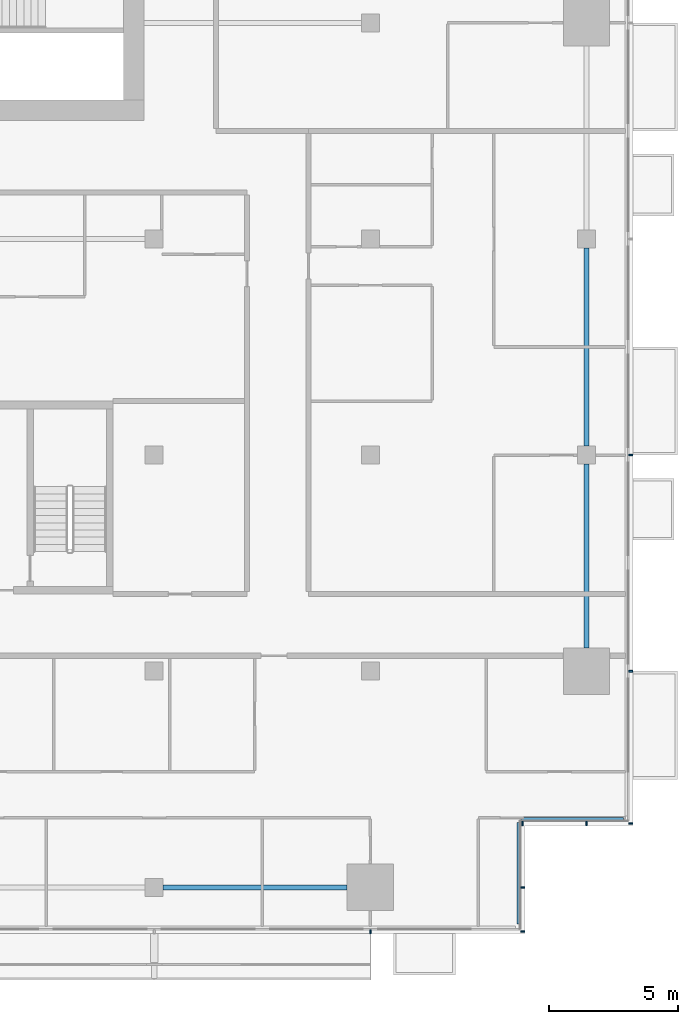
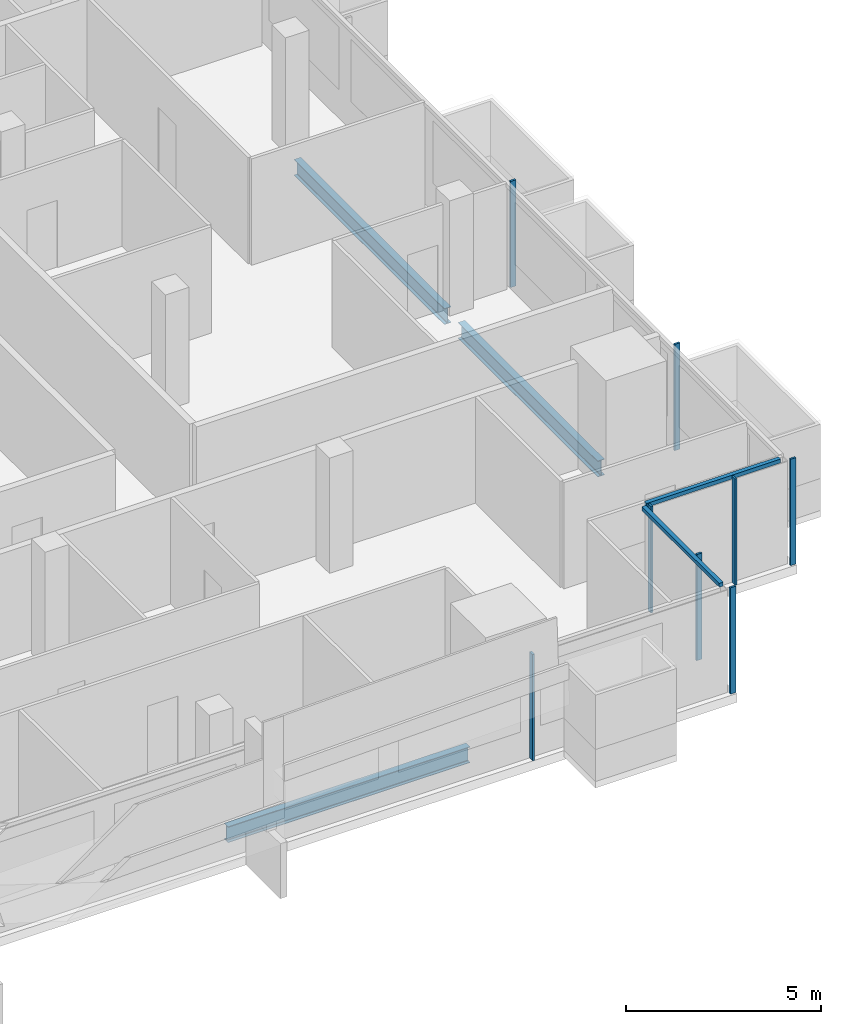
# One storey, part 11 of 28: 10 members, 3 beams, 4 elements without a shape of their own.
"""IFC4 building model written with IfcOpenShell, lengths in metres."""

from ifc_helpers import new_model, si_unit, direction, frame, origin, origin_2d, place, context, subcontext, project, spatial, rectangle, i_section, extrude, material, material_profile, profile_set, type_object, element, aggregate, save


model = new_model("IFC4")

# Units and contexts
model_context = context("Model", 3, precision=1e-05, world=origin(), true_north=direction((0.0, 1.0)))
body_context = subcontext(model_context, "Body", "Model", "MODEL_VIEW")
ifc_project = project(units=[si_unit("LENGTHUNIT", "METRE"), si_unit("AREAUNIT", "SQUARE_METRE"), si_unit("VOLUMEUNIT", "CUBIC_METRE"), si_unit("PLANEANGLEUNIT", "RADIAN"), si_unit("MASSUNIT", "GRAM", prefix="KILO")], contexts=[model_context])

# Site, building, storey
site_placement = place(None, origin())
site = spatial("IfcSite", under=ifc_project, at=site_placement, CompositionType="ELEMENT")
building_placement = place(site_placement, origin())
building = spatial("IfcBuilding", under=site, at=building_placement, Name="Saffron Gate Tower", CompositionType="ELEMENT")
storey_placement = place(building_placement, frame((0.0, 0.0, 154.64990234375)))
storey = spatial("IfcBuildingStorey", under=building, at=storey_placement, Name="L37", CompositionType="ELEMENT", Elevation=154.64990234375)

# Beams
ifc_material_1 = material(Name="Structural steel S355", Category="steel")
ifc_material_profile_1 = material_profile(ifc_material_1, i_section(OverallWidth=0.199951171875, OverallDepth=0.5, WebThickness=0.01025390625, FlangeThickness=0.01611328125, FilletRadius=0.02099609375, at=origin_2d()))
ifc_profile_set_1 = profile_set([ifc_material_profile_1], Name="Structural steel S355")
beam_type = type_object("IfcBeamType", Name="B11 IPE 500", PredefinedType="SPANDREL", material=ifc_profile_set_1)
beam_1_placement = place(storey_placement, frame((108.949951171875, 31.800048828125, -0.52978515625), z_axis=(1.0, 0.0, 0.0), x_axis=(0.0, 1.0, 0.0)))
element("IfcBeam", 1, at=beam_1_placement, inside=storey, type_object=beam_type, Name="B11 SPANDREL BEAM", PredefinedType="SPANDREL", context=body_context, shape_type="SweptSolid", body=[
    extrude(i_section(OverallWidth=0.199951171875, OverallDepth=0.5, WebThickness=0.01025390625, FlangeThickness=0.01611328125, FilletRadius=0.02099609375, at=origin_2d()), origin(), (0.0, 0.0, 1.0), 7.150146484375),
])
beam_2_placement = place(storey_placement, frame((125.39990234375, 41.10009765625, -0.52978515625), z_axis=(0.0, 1.0, 0.0), x_axis=(-1.0, 0.0, 0.0)))
element("IfcBeam", 2, at=beam_2_placement, inside=storey, type_object=beam_type, Name="B11 SPANDREL BEAM", PredefinedType="SPANDREL", context=body_context, shape_type="SweptSolid", body=[
    extrude(i_section(OverallWidth=0.199951171875, OverallDepth=0.5, WebThickness=0.01025390625, FlangeThickness=0.01611328125, FilletRadius=0.02099609375, at=origin_2d()), origin(), (0.0, 0.0, 1.0), 7.14990234375),
])
beam_3_placement = place(storey_placement, frame((125.39990234375, 48.949951171875, -0.52978515625), z_axis=(0.0, 1.0, 0.0), x_axis=(-1.0, 0.0, 0.0)))
element("IfcBeam", 3, at=beam_3_placement, inside=storey, type_object=beam_type, Name="B11 SPANDREL BEAM", PredefinedType="SPANDREL", context=body_context, shape_type="SweptSolid", body=[
    extrude(i_section(OverallWidth=0.199951171875, OverallDepth=0.5, WebThickness=0.01025390625, FlangeThickness=0.01611328125, FilletRadius=0.02099609375, at=origin_2d()), origin(), (0.0, 0.0, 1.0), 7.699951171875),
])

# Curtain wall, member
ifc_material_2 = material(Name="Aluminium, bronze anodised", Category="aluminium")
curtain_wall_type_1 = type_object("IfcCurtainWallType", Name="CWS1 curtain wall front facade", PredefinedType="NOTDEFINED", material=ifc_material_2)
curtain_wall_1_placement = place(storey_placement, origin())
curtain_wall_1 = element("IfcCurtainWall", 4, at=curtain_wall_1_placement, inside=storey, type_object=curtain_wall_type_1, Name="CWS1 run 1", PredefinedType="NOTDEFINED")
ifc_material_profile_2 = material_profile(ifc_material_2, rectangle(XDim=0.159912109375, YDim=0.06005859375, at=origin_2d()))
ifc_profile_set_2 = profile_set([ifc_material_profile_2], Name="Aluminium, bronze anodised")
member_type_1 = type_object("IfcMemberType", Name="CWS1 mullion 60x160", PredefinedType="MULLION", material=ifc_profile_set_2)
member_1_placement = place(storey_placement, frame((117.0, 30.080078125, 0.0), z_axis=(0.0, 0.0, 1.0), x_axis=(0.0, 1.0, 0.0)))
member_1 = element("IfcMember", 5, at=member_1_placement, type_object=member_type_1, Name="CWS1 mullion 9", PredefinedType="MULLION", context=body_context, shape_type="SweptSolid", body=[
    extrude(rectangle(XDim=0.159912109375, YDim=0.06005859375, at=origin_2d()), origin(), (0.0, 0.0, 1.0), 3.320068359375),
])
aggregate(curtain_wall_1, [member_1])

# Curtain wall, members
curtain_wall_type_2 = type_object("IfcCurtainWallType", Name="CWS2 curtain wall side facades", PredefinedType="NOTDEFINED", material=ifc_material_2)
curtain_wall_2_placement = place(storey_placement, origin())
curtain_wall_2 = element("IfcCurtainWall", 6, at=curtain_wall_2_placement, inside=storey, type_object=curtain_wall_type_2, Name="CWS2 run 4", PredefinedType="NOTDEFINED")
ifc_material_profile_3 = material_profile(ifc_material_2, rectangle(XDim=0.159912109375, YDim=0.06005859375, at=origin_2d()))
ifc_profile_set_3 = profile_set([ifc_material_profile_3], Name="Aluminium, bronze anodised")
member_type_2 = type_object("IfcMemberType", Name="CWS2 mullion 60x160", PredefinedType="MULLION", material=ifc_profile_set_3)
member_2_placement = place(storey_placement, frame((127.1201171875, 34.280029296875, 0.0), z_axis=(0.0, 0.0, 1.0), x_axis=(-1.0, 0.0, 0.0)))
member_2 = element("IfcMember", 7, at=member_2_placement, type_object=member_type_2, Name="CWS2 mullion 1", PredefinedType="MULLION", context=body_context, shape_type="SweptSolid", body=[
    extrude(rectangle(XDim=0.159912109375, YDim=0.06005859375, at=origin_2d()), origin(), (0.0, 0.0, 1.0), 3.320068359375),
])
member_3_placement = place(storey_placement, frame((127.1201171875, 40.199951171875, 0.0), z_axis=(0.0, 0.0, 1.0), x_axis=(-1.0, 0.0, 0.0)))
member_3 = element("IfcMember", 8, at=member_3_placement, type_object=member_type_2, Name="CWS2 mullion 2", PredefinedType="MULLION", context=body_context, shape_type="SweptSolid", body=[
    extrude(rectangle(XDim=0.159912109375, YDim=0.06005859375, at=origin_2d()), origin(), (0.0, 0.0, 1.0), 3.320068359375),
])
member_4_placement = place(storey_placement, frame((127.1201171875, 48.60009765625, 0.0), z_axis=(0.0, 0.0, 1.0), x_axis=(-1.0, 0.0, 0.0)))
member_4 = element("IfcMember", 9, at=member_4_placement, type_object=member_type_2, Name="CWS2 mullion 3", PredefinedType="MULLION", context=body_context, shape_type="SweptSolid", body=[
    extrude(rectangle(XDim=0.159912109375, YDim=0.06005859375, at=origin_2d()), origin(), (0.0, 0.0, 1.0), 3.320068359375),
])
aggregate(curtain_wall_2, [member_2, member_3, member_4])

# Curtain wall, member
curtain_wall_type_3 = type_object("IfcCurtainWallType", Name="CWS4 curtain wall corner returns", PredefinedType="NOTDEFINED", material=ifc_material_2)
curtain_wall_3_placement = place(storey_placement, origin())
curtain_wall_3 = element("IfcCurtainWall", 10, at=curtain_wall_3_placement, inside=storey, type_object=curtain_wall_type_3, Name="CWS4 run 2", PredefinedType="NOTDEFINED")
ifc_material_profile_4 = material_profile(ifc_material_2, rectangle(XDim=0.1201171875, YDim=0.1201171875, at=origin_2d()))
ifc_profile_set_4 = profile_set([ifc_material_profile_4], Name="Aluminium, bronze anodised")
member_type_3 = type_object("IfcMemberType", Name="CWS4 head transom", PredefinedType="USERDEFINED", material=ifc_profile_set_4)
member_5_placement = place(storey_placement, frame((122.751953125, 30.367919921875, 3.260009765625), z_axis=(0.0, 1.0, 0.0), x_axis=(-1.0, 0.0, 0.0)))
member_5 = element("IfcMember", 11, at=member_5_placement, type_object=member_type_3, Name="CWS4 head transom", ObjectType="TRANSOM", PredefinedType="USERDEFINED", context=body_context, shape_type="SweptSolid", body=[
    extrude(rectangle(XDim=0.1201171875, YDim=0.1201171875, at=origin_2d()), origin(), (0.0, 0.0, 1.0), 3.9599609375),
])

curtain_wall_4_placement = place(storey_placement, origin())
curtain_wall_4 = element("IfcCurtainWall", 12, at=curtain_wall_4_placement, inside=storey, type_object=curtain_wall_type_3, Name="CWS4 run 3", PredefinedType="NOTDEFINED")
member_6_placement = place(storey_placement, frame((122.8720703125, 34.447998046875, 3.260009765625), z_axis=(1.0, 0.0, 0.0), x_axis=(0.0, 1.0, 0.0)))
member_6 = element("IfcMember", 13, at=member_6_placement, type_object=member_type_3, Name="CWS4 head transom", ObjectType="TRANSOM", PredefinedType="USERDEFINED", context=body_context, shape_type="SweptSolid", body=[
    extrude(rectangle(XDim=0.1201171875, YDim=0.1201171875, at=origin_2d()), origin(), (0.0, 0.0, 1.0), 3.9599609375),
])

# Member
ifc_material_profile_5 = material_profile(ifc_material_2, rectangle(XDim=0.159912109375, YDim=0.06005859375, at=origin_2d()))
ifc_profile_set_5 = profile_set([ifc_material_profile_5], Name="Aluminium, bronze anodised")
member_type_4 = type_object("IfcMemberType", Name="CWS4 mullion 60x160", PredefinedType="MULLION", material=ifc_profile_set_5)
member_7_placement = place(storey_placement, frame((122.919921875, 30.080078125, 0.0), z_axis=(0.0, 0.0, 1.0), x_axis=(-1.0, 0.0, 0.0)))
member_7 = element("IfcMember", 14, at=member_7_placement, type_object=member_type_4, Name="CWS4 mullion 1", PredefinedType="MULLION", context=body_context, shape_type="SweptSolid", body=[
    extrude(rectangle(XDim=0.159912109375, YDim=0.06005859375, at=origin_2d()), origin(), (0.0, 0.0, 1.0), 3.320068359375),
])

member_8_placement = place(storey_placement, frame((122.919921875, 31.800048828125, 0.0), z_axis=(0.0, 0.0, 1.0), x_axis=(-1.0, 0.0, 0.0)))
member_8 = element("IfcMember", 15, at=member_8_placement, type_object=member_type_4, Name="CWS4 mullion 2", PredefinedType="MULLION", context=body_context, shape_type="SweptSolid", body=[
    extrude(rectangle(XDim=0.159912109375, YDim=0.06005859375, at=origin_2d()), origin(), (0.0, 0.0, 1.0), 3.320068359375),
])

aggregate(curtain_wall_3, [member_7, member_8, member_5])

member_9_placement = place(storey_placement, frame((122.919921875, 34.280029296875, 0.0), z_axis=(0.0, 0.0, 1.0), x_axis=(0.0, 1.0, 0.0)))
member_9 = element("IfcMember", 16, at=member_9_placement, type_object=member_type_4, Name="CWS4 mullion 1", PredefinedType="MULLION", context=body_context, shape_type="SweptSolid", body=[
    extrude(rectangle(XDim=0.159912109375, YDim=0.06005859375, at=origin_2d()), origin(), (0.0, 0.0, 1.0), 3.320068359375),
])

member_10_placement = place(storey_placement, frame((125.39990234375, 34.280029296875, 0.0), z_axis=(0.0, 0.0, 1.0), x_axis=(0.0, 1.0, 0.0)))
member_10 = element("IfcMember", 17, at=member_10_placement, type_object=member_type_4, Name="CWS4 mullion 2", PredefinedType="MULLION", context=body_context, shape_type="SweptSolid", body=[
    extrude(rectangle(XDim=0.159912109375, YDim=0.06005859375, at=origin_2d()), origin(), (0.0, 0.0, 1.0), 3.320068359375),
])

aggregate(curtain_wall_4, [member_9, member_10, member_6])

save(model, "model.ifc")
